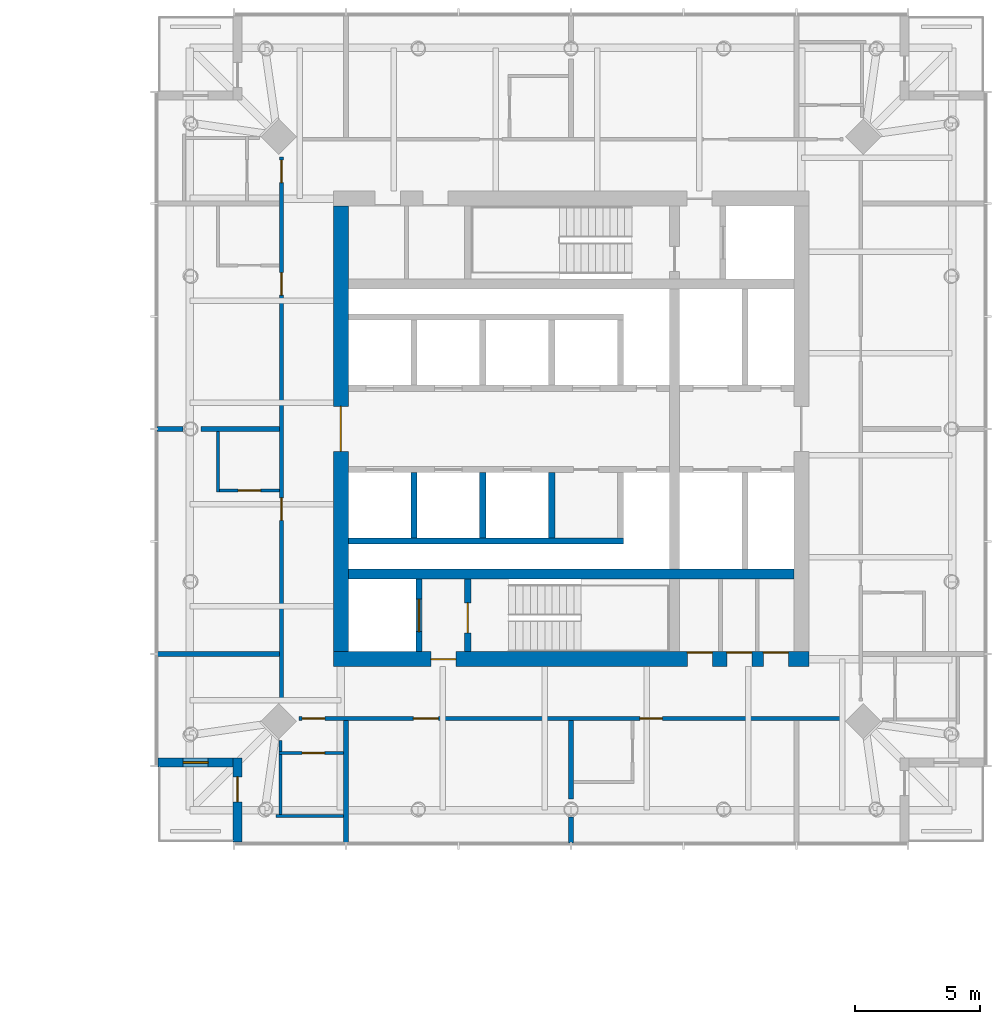
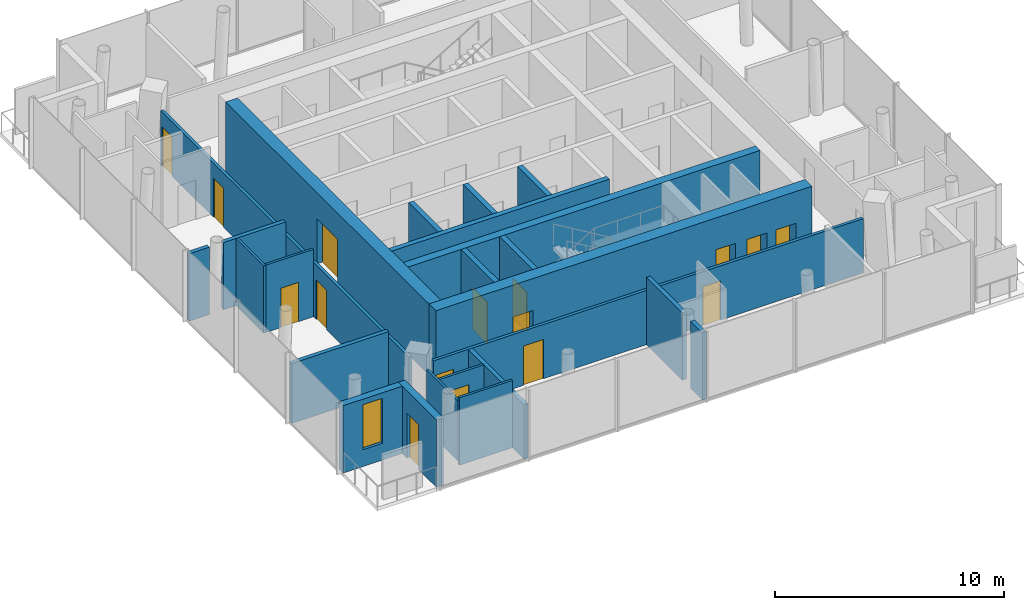
# One storey, part 13 of 20: 24 walls, 16 doors, 1 window, 17 openings.
"""IFC4 building model written with IfcOpenShell, lengths in metres."""

from ifc_helpers import new_model, si_unit, direction, frame, frame_2d, origin, place, context, subcontext, project, spatial, rectangle, extrude, material, layer, layer_set, type_object, element, fill, save


model = new_model("IFC4")

# Units and contexts
model_context = context("Model", 3, precision=1e-05, world=origin(), true_north=direction((0.0, 1.0)))
body_context = subcontext(model_context, "Body", "Model", "MODEL_VIEW")
ifc_project = project(units=[si_unit("LENGTHUNIT", "METRE"), si_unit("AREAUNIT", "SQUARE_METRE"), si_unit("VOLUMEUNIT", "CUBIC_METRE"), si_unit("PLANEANGLEUNIT", "RADIAN"), si_unit("MASSUNIT", "GRAM", prefix="KILO")], contexts=[model_context])

# Site, building, storey
site_placement = place(None, origin())
site = spatial("IfcSite", under=ifc_project, at=site_placement, CompositionType="ELEMENT")
building_placement = place(site_placement, origin())
building = spatial("IfcBuilding", under=site, at=building_placement, Name="Ostroluk Exchange", CompositionType="ELEMENT")
storey_placement = place(building_placement, frame((0.0, 0.0, 108.39990234375)))
storey = spatial("IfcBuildingStorey", under=building, at=storey_placement, Name="L27", CompositionType="ELEMENT", Elevation=108.39990234375)

# Wall
ifc_material_1 = material(Name="Concrete C50/60", Category="concrete")
ifc_layer_1 = layer(ifc_material_1, 0.39990234375)
ifc_layer_set_1 = layer_set([ifc_layer_1], Name="Core cross wall 400 C50/60")
wall_type_1 = type_object("IfcWallType", Name="Core cross wall 400 C50/60", PredefinedType="SHEAR", material=ifc_layer_set_1)
wall_1_placement = place(storey_placement, frame((108.10009765625, 40.199951171875, 0.0), z_axis=(0.0, 0.0, 1.0), x_axis=(1.0, 0.0, 0.0)))
element("IfcWall", 1, at=wall_1_placement, inside=storey, type_object=wall_type_1, Name="T2 core wall XS", PredefinedType="SHEAR", context=body_context, shape_type="SweptSolid", body=[
    extrude(rectangle(XDim=17.7998046875, YDim=0.39990234375, at=frame_2d((8.89990234375, 0.0))), origin(), (0.0, 0.0, 1.0), 3.800048828125),
])

# Wall, opening, door
ifc_material_2 = material(Name="Concrete C40/50", Category="concrete")
ifc_layer_2 = layer(ifc_material_2, 0.25)
ifc_layer_set_2 = layer_set([ifc_layer_2], Name="Core shaft wall 250")
wall_type_2 = type_object("IfcWallType", Name="Core shaft wall 250", PredefinedType="SHEAR", material=ifc_layer_set_2)
wall_2_placement = place(storey_placement, frame((110.925048828125, 37.10009765625, 0.0), z_axis=(0.0, 0.0, 1.0), x_axis=(0.0, 1.0, 0.0)))
wall_2 = element("IfcWall", 2, at=wall_2_placement, inside=storey, type_object=wall_type_2, Name="Firefighting lift shaft wall", PredefinedType="SHEAR", context=body_context, shape_type="SweptSolid", body=[
    extrude(rectangle(XDim=2.89990234375, YDim=0.25, at=frame_2d((1.449951171875, 0.0))), origin(), (0.0, 0.0, 1.0), 3.800048828125),
])
opening_1_placement = place(wall_2_placement, frame((0.800048828125, 0.0, 0.0)))
opening_1 = element("IfcOpeningElement", 3, at=opening_1_placement, cuts=wall_2, Name="Opening LD2", PredefinedType="OPENING", context=body_context, shape_type="SweptSolid", body=[
    extrude(rectangle(XDim=1.300048828125, YDim=2.199951171875, at=frame_2d((0.64990234375, 1.10009765625))), frame((0.0, 0.135009765625, 0.0), z_axis=(0.0, -1.0, 0.0), x_axis=(1.0, 0.0, 0.0)), (0.0, 0.0, 1.0), 0.27001953125),
])
ifc_material_3 = material(Name="Stainless steel", Category="steel")
door_type_1 = type_object("IfcDoorType", Name="Lift landing door E 60 1300 x 2200", OperationType="DOUBLE_DOOR_SLIDING", PredefinedType="DOOR", material=ifc_material_3)
door_1_placement = place(opening_1_placement, origin())
door_1 = element("IfcDoor", 4, at=door_1_placement, inside=storey, type_object=door_type_1, Name="Lift HF1 landing door", OperationType="DOUBLE_DOOR_SLIDING", OverallHeight=2.199951171875, OverallWidth=1.300048828125, PredefinedType="DOOR", context=body_context, shape_type="SweptSolid", body=[
    extrude(rectangle(XDim=1.300048828125, YDim=2.199951171875, at=frame_2d((0.64990234375, 1.10009765625))), frame((0.0, 0.02490234375, 0.0), z_axis=(0.0, -1.0, 0.0), x_axis=(1.0, 0.0, 0.0)), (0.0, 0.0, 1.0), 0.050048828125),
])
fill(opening_1, door_1)

wall_3_placement = place(storey_placement, frame((112.875, 37.10009765625, 0.0), z_axis=(0.0, 0.0, 1.0), x_axis=(0.0, 1.0, 0.0)))
wall_3 = element("IfcWall", 5, at=wall_3_placement, inside=storey, type_object=wall_type_2, Name="Stair shaft wall", PredefinedType="SHEAR", context=body_context, shape_type="SweptSolid", body=[
    extrude(rectangle(XDim=2.89990234375, YDim=0.25, at=frame_2d((1.449951171875, 0.0))), origin(), (0.0, 0.0, 1.0), 3.800048828125),
])
opening_2_placement = place(wall_3_placement, frame((0.75, 0.0, 0.0)))
opening_2 = element("IfcOpeningElement", 6, at=opening_2_placement, cuts=wall_3, Name="Opening FD60S", PredefinedType="OPENING", context=body_context, shape_type="SweptSolid", body=[
    extrude(rectangle(XDim=1.199951171875, YDim=2.10009765625, at=frame_2d((0.60009765625, 1.050048828125))), frame((0.0, 0.135009765625, 0.0), z_axis=(0.0, -1.0, 0.0), x_axis=(1.0, 0.0, 0.0)), (0.0, 0.0, 1.0), 0.27001953125),
])
ifc_material_4 = material(Name="Steel", Category="steel")
door_type_2 = type_object("IfcDoorType", Name="Stair door EI 60 1200 x 2100", OperationType="SINGLE_SWING_LEFT", PredefinedType="DOOR", material=ifc_material_4)
door_2_placement = place(opening_2_placement, origin())
door_2 = element("IfcDoor", 7, at=door_2_placement, inside=storey, type_object=door_type_2, Name="Stair T2-S1 door", OperationType="SINGLE_SWING_LEFT", OverallHeight=2.10009765625, OverallWidth=1.199951171875, PredefinedType="DOOR", context=body_context, shape_type="SweptSolid", body=[
    extrude(rectangle(XDim=1.199951171875, YDim=2.10009765625, at=frame_2d((0.60009765625, 1.050048828125))), frame((0.0, 0.02490234375, 0.0), z_axis=(0.0, -1.0, 0.0), x_axis=(1.0, 0.0, 0.0)), (0.0, 0.0, 1.0), 0.050048828125),
])
fill(opening_2, door_2)

# Walls
for number, where, z_axis, x_axis, name in (
    (8, (110.72509765625, 44.25, 0.0), (0.0, 0.0, 1.0), (0.0, -1.0, 0.0), "Lift shaft wall"),
    (9, (113.47509765625, 44.25, 0.0), (0.0, 0.0, 1.0), (0.0, -1.0, 0.0), "Lift shaft wall"),
    (10, (116.22509765625, 44.25, 0.0), (0.0, 0.0, 1.0), (0.0, -1.0, 0.0), "Lift shaft wall"),
):
    element("IfcWall", number, at=place(storey_placement, frame(where, z_axis=z_axis, x_axis=x_axis)), inside=storey, type_object=wall_type_2, Name=name, PredefinedType="SHEAR", context=body_context, shape_type="SweptSolid", body=[
        extrude(rectangle(XDim=2.60009765625, YDim=0.25, at=frame_2d((1.300048828125, 0.0))), origin(), (0.0, 0.0, 1.0), 3.800048828125),
    ])
wall_4_placement = place(storey_placement, frame((108.10009765625, 41.52490234375, 0.0), z_axis=(0.0, 0.0, 1.0), x_axis=(1.0, 0.0, 0.0)))
element("IfcWall", 11, at=wall_4_placement, inside=storey, type_object=wall_type_2, Name="Lift shaft wall", PredefinedType="SHEAR", context=body_context, shape_type="SweptSolid", body=[
    extrude(rectangle(XDim=11.0, YDim=0.25, at=frame_2d((5.5, 0.0))), origin(), (0.0, 0.0, 1.0), 3.800048828125),
])

# Wall, openings, doors
ifc_material_5 = material(Name="Concrete C50/60", Category="concrete")
ifc_layer_3 = layer(ifc_material_5, 0.60009765625)
ifc_layer_set_3 = layer_set([ifc_layer_3], Name="Core wall 600 C50/60")
wall_type_3 = type_object("IfcWallType", Name="Core wall 600 C50/60", PredefinedType="SHEAR", material=ifc_layer_set_3)
wall_5_placement = place(storey_placement, frame((107.5, 36.800048828125, 0.0), z_axis=(0.0, 0.0, 1.0), x_axis=(1.0, 0.0, 0.0)))
wall_5 = element("IfcWall", 12, at=wall_5_placement, inside=storey, type_object=wall_type_3, Name="T2 core wall S", PredefinedType="SHEAR", context=body_context, shape_type="SweptSolid", body=[
    extrude(rectangle(XDim=19.0, YDim=0.60009765625, at=frame_2d((9.5, 0.0))), origin(), (0.0, 0.0, 1.0), 3.800048828125),
])
opening_3_placement = place(wall_5_placement, frame((3.89990234375, 0.0, 0.0)))
opening_3 = element("IfcOpeningElement", 13, at=opening_3_placement, cuts=wall_5, Name="Opening FD60", PredefinedType="OPENING", context=body_context, shape_type="SweptSolid", body=[
    extrude(rectangle(XDim=1.0, YDim=2.10009765625, at=frame_2d((0.5, 1.050048828125))), frame((0.0, 0.31005859375, 0.0), z_axis=(0.0, -1.0, 0.0), x_axis=(1.0, 0.0, 0.0)), (0.0, 0.0, 1.0), 0.6201171875),
])
opening_4_placement = place(wall_5_placement, frame((14.152587890625, 0.0, 0.0)))
opening_4 = element("IfcOpeningElement", 14, at=opening_4_placement, cuts=wall_5, Name="Opening FD60", PredefinedType="OPENING", context=body_context, shape_type="SweptSolid", body=[
    extrude(rectangle(XDim=1.0, YDim=2.10009765625, at=frame_2d((0.5, 1.050048828125))), frame((0.0, 0.31005859375, 0.0), z_axis=(0.0, -1.0, 0.0), x_axis=(1.0, 0.0, 0.0)), (0.0, 0.0, 1.0), 0.6201171875),
])
opening_5_placement = place(wall_5_placement, frame((15.72509765625, 0.0, 0.0)))
opening_5 = element("IfcOpeningElement", 15, at=opening_5_placement, cuts=wall_5, Name="Opening FD60", PredefinedType="OPENING", context=body_context, shape_type="SweptSolid", body=[
    extrude(rectangle(XDim=1.0, YDim=2.10009765625, at=frame_2d((0.5, 1.050048828125))), frame((0.0, 0.31005859375, 0.0), z_axis=(0.0, -1.0, 0.0), x_axis=(1.0, 0.0, 0.0)), (0.0, 0.0, 1.0), 0.6201171875),
])
opening_6_placement = place(wall_5_placement, frame((17.1875, 0.0, 0.0)))
opening_6 = element("IfcOpeningElement", 16, at=opening_6_placement, cuts=wall_5, Name="Opening FD60", PredefinedType="OPENING", context=body_context, shape_type="SweptSolid", body=[
    extrude(rectangle(XDim=1.0, YDim=2.10009765625, at=frame_2d((0.5, 1.050048828125))), frame((0.0, 0.31005859375, 0.0), z_axis=(0.0, -1.0, 0.0), x_axis=(1.0, 0.0, 0.0)), (0.0, 0.0, 1.0), 0.6201171875),
])
ifc_material_6 = material(Name="Steel", Category="steel")
door_type_3 = type_object("IfcDoorType", Name="Fire door EI 60 1000 x 2100", OperationType="SINGLE_SWING_LEFT", PredefinedType="DOOR", material=ifc_material_6)
door_3_placement = place(opening_3_placement, origin())
door_3 = element("IfcDoor", 17, at=door_3_placement, inside=storey, type_object=door_type_3, Name="Firefighting lobby door", OperationType="SINGLE_SWING_LEFT", OverallHeight=2.10009765625, OverallWidth=1.0, PredefinedType="DOOR", context=body_context, shape_type="SweptSolid", body=[
    extrude(rectangle(XDim=1.0, YDim=2.10009765625, at=frame_2d((0.5, 1.050048828125))), frame((0.0, 0.02490234375, 0.0), z_axis=(0.0, -1.0, 0.0), x_axis=(1.0, 0.0, 0.0)), (0.0, 0.0, 1.0), 0.050048828125),
])
fill(opening_3, door_3)
door_4_placement = place(opening_4_placement, origin())
door_4 = element("IfcDoor", 18, at=door_4_placement, inside=storey, type_object=door_type_3, Name="Luggage store door", OperationType="SINGLE_SWING_RIGHT", OverallHeight=2.10009765625, OverallWidth=1.0, PredefinedType="DOOR", context=body_context, shape_type="SweptSolid", body=[
    extrude(rectangle(XDim=1.0, YDim=2.10009765625, at=frame_2d((0.5, 1.050048828125))), frame((0.0, 0.2900390625, 0.0), z_axis=(0.0, -1.0, 0.0), x_axis=(1.0, 0.0, 0.0)), (0.0, 0.0, 1.0), 0.050048828125),
])
fill(opening_4, door_4)
door_5_placement = place(opening_5_placement, origin())
door_5 = element("IfcDoor", 19, at=door_5_placement, inside=storey, type_object=door_type_3, Name="Comms room door", OperationType="SINGLE_SWING_RIGHT", OverallHeight=2.10009765625, OverallWidth=1.0, PredefinedType="DOOR", context=body_context, shape_type="SweptSolid", body=[
    extrude(rectangle(XDim=1.0, YDim=2.10009765625, at=frame_2d((0.5, 1.050048828125))), frame((0.0, 0.2900390625, 0.0), z_axis=(0.0, -1.0, 0.0), x_axis=(1.0, 0.0, 0.0)), (0.0, 0.0, 1.0), 0.050048828125),
])
fill(opening_5, door_5)
door_6_placement = place(opening_6_placement, origin())
door_6 = element("IfcDoor", 20, at=door_6_placement, inside=storey, type_object=door_type_3, Name="Linen store door", OperationType="SINGLE_SWING_RIGHT", OverallHeight=2.10009765625, OverallWidth=1.0, PredefinedType="DOOR", context=body_context, shape_type="SweptSolid", body=[
    extrude(rectangle(XDim=1.0, YDim=2.10009765625, at=frame_2d((0.5, 1.050048828125))), frame((0.0, 0.2900390625, 0.0), z_axis=(0.0, -1.0, 0.0), x_axis=(1.0, 0.0, 0.0)), (0.0, 0.0, 1.0), 0.050048828125),
])
fill(opening_6, door_6)

# Wall, opening, door
wall_6_placement = place(storey_placement, frame((107.800048828125, 37.10009765625, 0.0), z_axis=(0.0, 0.0, 1.0), x_axis=(0.0, 1.0, 0.0)))
wall_6 = element("IfcWall", 21, at=wall_6_placement, inside=storey, type_object=wall_type_3, Name="T2 core wall W", PredefinedType="SHEAR", context=body_context, shape_type="SweptSolid", body=[
    extrude(rectangle(XDim=17.7998046875, YDim=0.60009765625, at=frame_2d((8.89990234375, 0.0))), origin(), (0.0, 0.0, 1.0), 3.800048828125),
])
opening_7_placement = place(wall_6_placement, frame((8.0, 0.0, 0.0)))
opening_7 = element("IfcOpeningElement", 22, at=opening_7_placement, cuts=wall_6, Name="Opening FD30D", PredefinedType="OPENING", context=body_context, shape_type="SweptSolid", body=[
    extrude(rectangle(XDim=1.800048828125, YDim=2.39990234375, at=frame_2d((0.89990234375, 1.199951171875))), frame((0.0, 0.31005859375, 0.0), z_axis=(0.0, -1.0, 0.0), x_axis=(1.0, 0.0, 0.0)), (0.0, 0.0, 1.0), 0.6201171875),
])
ifc_material_7 = material(Name="Timber", Category="wood")
door_type_4 = type_object("IfcDoorType", Name="Lobby double door EI 30 1800 x 2400", OperationType="DOUBLE_DOOR_SINGLE_SWING", PredefinedType="DOOR", material=ifc_material_7)
door_7_placement = place(opening_7_placement, origin())
door_7 = element("IfcDoor", 23, at=door_7_placement, inside=storey, type_object=door_type_4, Name="Lift lobby doors", OperationType="DOUBLE_DOOR_SINGLE_SWING", OverallHeight=2.39990234375, OverallWidth=1.800048828125, PredefinedType="DOOR", context=body_context, shape_type="SweptSolid", body=[
    extrude(rectangle(XDim=1.800048828125, YDim=2.39990234375, at=frame_2d((0.89990234375, 1.199951171875))), frame((0.0, 0.02490234375, 0.0), z_axis=(0.0, -1.0, 0.0), x_axis=(1.0, 0.0, 0.0)), (0.0, 0.0, 1.0), 0.050048828125),
])
fill(opening_7, door_7)

ifc_material_8 = material(Name="Limestone", Category="masonry")
ifc_layer_4 = layer(ifc_material_8, 0.35009765625)
ifc_layer_set_4 = layer_set([ifc_layer_4], Name="Limestone facade wall 350")
wall_type_4 = type_object("IfcWallType", Name="Limestone facade wall 350", PredefinedType="SOLIDWALL", material=ifc_layer_set_4)
wall_7_placement = place(storey_placement, frame((103.675048828125, 29.5, 0.0), z_axis=(0.0, 0.0, 1.0), x_axis=(0.0, 1.0, 0.0)))
wall_7 = element("IfcWall", 24, at=wall_7_placement, inside=storey, type_object=wall_type_4, Name="Hotel tower SW corner wall L27 a", PredefinedType="SOLIDWALL", context=body_context, shape_type="SweptSolid", body=[
    extrude(rectangle(XDim=3.35009765625, YDim=0.35009765625, at=frame_2d((1.675048828125, 0.0))), origin(), (0.0, 0.0, 1.0), 3.60009765625),
])
opening_8_placement = place(wall_7_placement, frame((1.60009765625, 0.0, 0.0)))
opening_8 = element("IfcOpeningElement", 25, at=opening_8_placement, cuts=wall_7, Name="Opening D-B1", PredefinedType="OPENING", context=body_context, shape_type="SweptSolid", body=[
    extrude(rectangle(XDim=1.0, YDim=2.39990234375, at=frame_2d((0.5, 1.199951171875))), frame((0.0, 0.18505859375, 0.0), z_axis=(0.0, -1.0, 0.0), x_axis=(1.0, 0.0, 0.0)), (0.0, 0.0, 1.0), 0.3701171875),
])
ifc_material_9 = material(Name="Bronze framed glazed door", Category="aluminium")
door_type_5 = type_object("IfcDoorType", Name="Balcony door 1000 x 2400", OperationType="SINGLE_SWING_LEFT", PredefinedType="DOOR", material=ifc_material_9)
door_8_placement = place(opening_8_placement, origin())
door_8 = element("IfcDoor", 26, at=door_8_placement, inside=storey, type_object=door_type_5, Name="Hotel tower SW balcony door L27", OperationType="SINGLE_SWING_RIGHT", OverallHeight=2.39990234375, OverallWidth=1.0, PredefinedType="DOOR", context=body_context, shape_type="SweptSolid", body=[
    extrude(rectangle(XDim=1.0, YDim=2.39990234375, at=frame_2d((0.5, 1.199951171875))), frame((0.0, 0.02490234375, 0.0), z_axis=(0.0, -1.0, 0.0), x_axis=(1.0, 0.0, 0.0)), (0.0, 0.0, 1.0), 0.050048828125),
])
fill(opening_8, door_8)

# Wall, opening, window
wall_8_placement = place(storey_placement, frame((103.5, 32.675048828125, 0.0), z_axis=(0.0, 0.0, 1.0), x_axis=(-1.0, 0.0, 0.0)))
wall_8 = element("IfcWall", 27, at=wall_8_placement, inside=storey, type_object=wall_type_4, Name="Hotel tower SW corner wall L27 b", PredefinedType="SOLIDWALL", context=body_context, shape_type="SweptSolid", body=[
    extrude(rectangle(XDim=3.0, YDim=0.35009765625, at=frame_2d((1.5, 0.0))), origin(), (0.0, 0.0, 1.0), 3.60009765625),
])
opening_9_placement = place(wall_8_placement, frame((1.0, 0.0, 0.89990234375)))
opening_9 = element("IfcOpeningElement", 28, at=opening_9_placement, cuts=wall_8, Name="Opening WN-L3", PredefinedType="OPENING", context=body_context, shape_type="SweptSolid", body=[
    extrude(rectangle(XDim=1.0, YDim=2.39990234375, at=frame_2d((0.5, 1.199951171875))), frame((0.0, 0.18505859375, 0.0), z_axis=(0.0, -1.0, 0.0), x_axis=(1.0, 0.0, 0.0)), (0.0, 0.0, 1.0), 0.3701171875),
])
ifc_material_10 = material(Name="Laminated clear glass", Category="glass")
window_type = type_object("IfcWindowType", Name="Hotel lancet window 1000 x 2400", PartitioningType="SINGLE_PANEL", PredefinedType="WINDOW", material=ifc_material_10)
window_placement = place(opening_9_placement, origin())
window = element("IfcWindow", 29, at=window_placement, inside=storey, type_object=window_type, Name="Hotel tower SW lancet window L27", OverallHeight=2.39990234375, OverallWidth=1.0, PartitioningType="SINGLE_PANEL", PredefinedType="WINDOW", context=body_context, shape_type="SweptSolid", body=[
    extrude(rectangle(XDim=1.0, YDim=2.39990234375, at=frame_2d((0.5, 1.199951171875))), frame((0.0, 0.030029296875, 0.0), z_axis=(0.0, -1.0, 0.0), x_axis=(1.0, 0.0, 0.0)), (0.0, 0.0, 1.0), 0.06005859375),
])
fill(opening_9, window)

# Wall
ifc_material_11 = material(Name="Gypsum plasterboard partition, moisture resistant", Category="gypsum")
ifc_layer_5 = layer(ifc_material_11, 0.1201171875)
ifc_layer_set_5 = layer_set([ifc_layer_5], Name="Plasterboard en-suite wall 120")
wall_type_5 = type_object("IfcWallType", Name="Plasterboard en-suite wall 120", PredefinedType="PARTITIONING", material=ifc_layer_set_5)
wall_9_placement = place(storey_placement, frame((102.889892578125, 45.89990234375, 0.0), z_axis=(0.0, 0.0, 1.0), x_axis=(0.0, -1.0, 0.0)))
element("IfcWall", 30, at=wall_9_placement, inside=storey, type_object=wall_type_5, Name="En-suite wall", PredefinedType="PARTITIONING", context=body_context, shape_type="SweptSolid", body=[
    extrude(rectangle(XDim=2.419921875, YDim=0.1201171875, at=frame_2d((1.2099609375, 0.0))), origin(), (0.0, 0.0, 1.0), 3.60009765625),
])

# Wall, opening, door
wall_10_placement = place(storey_placement, frame((105.35009765625, 43.5400390625, 0.0), z_axis=(0.0, 0.0, 1.0), x_axis=(-1.0, 0.0, 0.0)))
wall_10 = element("IfcWall", 31, at=wall_10_placement, inside=storey, type_object=wall_type_5, Name="En-suite wall", PredefinedType="PARTITIONING", context=body_context, shape_type="SweptSolid", body=[
    extrude(rectangle(XDim=2.400146484375, YDim=0.1201171875, at=frame_2d((1.2001953125, 0.0))), origin(), (0.0, 0.0, 1.0), 3.60009765625),
])
opening_10_placement = place(wall_10_placement, frame((0.75, 0.0, 0.0)))
opening_10 = element("IfcOpeningElement", 32, at=opening_10_placement, cuts=wall_10, Name="Opening D-02", PredefinedType="OPENING", context=body_context, shape_type="SweptSolid", body=[
    extrude(rectangle(XDim=0.89990234375, YDim=2.10009765625, at=frame_2d((0.449951171875, 1.050048828125))), frame((0.0, 0.070068359375, 0.0), z_axis=(0.0, -1.0, 0.0), x_axis=(1.0, 0.0, 0.0)), (0.0, 0.0, 1.0), 0.14013671875),
])
ifc_material_12 = material(Name="Timber", Category="wood")
door_type_6 = type_object("IfcDoorType", Name="En-suite door 900 x 2100", OperationType="SINGLE_SWING_LEFT", PredefinedType="DOOR", material=ifc_material_12)
door_9_placement = place(opening_10_placement, origin())
door_9 = element("IfcDoor", 33, at=door_9_placement, inside=storey, type_object=door_type_6, Name="En-suite door 2707", OperationType="SINGLE_SWING_RIGHT", OverallHeight=2.10009765625, OverallWidth=0.89990234375, PredefinedType="DOOR", context=body_context, shape_type="SweptSolid", body=[
    extrude(rectangle(XDim=0.89990234375, YDim=2.10009765625, at=frame_2d((0.449951171875, 1.050048828125))), frame((0.0, 0.02490234375, 0.0), z_axis=(0.0, -1.0, 0.0), x_axis=(1.0, 0.0, 0.0)), (0.0, 0.0, 1.0), 0.050048828125),
])
fill(opening_10, door_9)

wall_11_placement = place(storey_placement, frame((107.89990234375, 33.050048828125, 0.0), z_axis=(0.0, 0.0, 1.0), x_axis=(-1.0, 0.0, 0.0)))
wall_11 = element("IfcWall", 34, at=wall_11_placement, inside=storey, type_object=wall_type_5, Name="En-suite wall", PredefinedType="PARTITIONING", context=body_context, shape_type="SweptSolid", body=[
    extrude(rectangle(XDim=2.579833984375, YDim=0.1201171875, at=frame_2d((1.2900390625, 0.0))), origin(), (0.0, 0.0, 1.0), 2.900146484375),
])
opening_11_placement = place(wall_11_placement, frame((0.75, 0.0, 0.0)))
opening_11 = element("IfcOpeningElement", 35, at=opening_11_placement, cuts=wall_11, Name="Opening D-02", PredefinedType="OPENING", context=body_context, shape_type="SweptSolid", body=[
    extrude(rectangle(XDim=0.89990234375, YDim=2.10009765625, at=frame_2d((0.449951171875, 1.050048828125))), frame((0.0, 0.070068359375, 0.0), z_axis=(0.0, -1.0, 0.0), x_axis=(1.0, 0.0, 0.0)), (0.0, 0.0, 1.0), 0.14013671875),
])
door_10_placement = place(opening_11_placement, origin())
door_10 = element("IfcDoor", 36, at=door_10_placement, inside=storey, type_object=door_type_6, Name="En-suite door 2708", OperationType="SINGLE_SWING_LEFT", OverallHeight=2.10009765625, OverallWidth=0.89990234375, PredefinedType="DOOR", context=body_context, shape_type="SweptSolid", body=[
    extrude(rectangle(XDim=0.89990234375, YDim=2.10009765625, at=frame_2d((0.449951171875, 1.050048828125))), frame((0.0, 0.02490234375, 0.0), z_axis=(0.0, -1.0, 0.0), x_axis=(1.0, 0.0, 0.0)), (0.0, 0.0, 1.0), 0.050048828125),
])
fill(opening_11, door_10)

# Walls
wall_12_placement = place(storey_placement, frame((107.89990234375, 30.530029296875, 0.0), z_axis=(0.0, 0.0, 1.0), x_axis=(-1.0, 0.0, 0.0)))
element("IfcWall", 37, at=wall_12_placement, inside=storey, type_object=wall_type_5, Name="En-suite wall", PredefinedType="PARTITIONING", context=body_context, shape_type="SweptSolid", body=[
    extrude(rectangle(XDim=2.689453125, YDim=0.1201171875, at=frame_2d((1.3447265625, 0.0))), origin(), (0.0, 0.0, 1.0), 3.60009765625),
])
wall_13_placement = place(storey_placement, frame((105.3798828125, 33.56005859375, 0.0), z_axis=(0.0, 0.0, 1.0), x_axis=(0.0, -1.0, 0.0)))
element("IfcWall", 38, at=wall_13_placement, inside=storey, type_object=wall_type_5, Name="En-suite wall", PredefinedType="PARTITIONING", context=body_context, shape_type="SweptSolid", body=[
    extrude(rectangle(XDim=2.969970703125, YDim=0.1201171875, at=frame_2d((1.48486328125, 0.0))), origin(), (0.0, 0.0, 1.0), 3.2001953125),
])

# Wall, openings, doors
ifc_material_13 = material(Name="Gypsum plasterboard partition", Category="gypsum")
ifc_layer_6 = layer(ifc_material_13, 0.14990234375)
ifc_layer_set_6 = layer_set([ifc_layer_6], Name="Plasterboard partition 150")
wall_type_6 = type_object("IfcWallType", Name="Plasterboard partition 150", PredefinedType="PARTITIONING", material=ifc_layer_set_6)
wall_14_placement = place(storey_placement, frame((105.425048828125, 56.86181640625, 0.0), z_axis=(0.0, 0.0, 1.0), x_axis=(0.0, -1.0, 0.0)))
wall_14 = element("IfcWall", 39, at=wall_14_placement, inside=storey, type_object=wall_type_6, Name="Corridor wall", PredefinedType="PARTITIONING", context=body_context, shape_type="SweptSolid", body=[
    extrude(rectangle(XDim=21.7236328125, YDim=0.14990234375, at=frame_2d((10.86181640625, 0.0))), origin(), (0.0, 0.0, 1.0), 2.900146484375),
])
opening_12_placement = place(wall_14_placement, frame((0.1201171875, 0.0, 0.0)))
opening_12 = element("IfcOpeningElement", 40, at=opening_12_placement, cuts=wall_14, Name="Opening D-01", PredefinedType="OPENING", context=body_context, shape_type="SweptSolid", body=[
    extrude(rectangle(XDim=0.89990234375, YDim=2.10009765625, at=frame_2d((0.449951171875, 1.050048828125))), frame((0.0, 0.0849609375, 0.0), z_axis=(0.0, -1.0, 0.0), x_axis=(1.0, 0.0, 0.0)), (0.0, 0.0, 1.0), 0.169921875),
])
opening_13_placement = place(wall_14_placement, frame((4.61181640625, 0.0, 0.0)))
opening_13 = element("IfcOpeningElement", 41, at=opening_13_placement, cuts=wall_14, Name="Opening D-01", PredefinedType="OPENING", context=body_context, shape_type="SweptSolid", body=[
    extrude(rectangle(XDim=0.89990234375, YDim=2.10009765625, at=frame_2d((0.449951171875, 1.050048828125))), frame((0.0, 0.0849609375, 0.0), z_axis=(0.0, -1.0, 0.0), x_axis=(1.0, 0.0, 0.0)), (0.0, 0.0, 1.0), 0.169921875),
])
opening_14_placement = place(wall_14_placement, frame((13.61181640625, 0.0, 0.0)))
opening_14 = element("IfcOpeningElement", 42, at=opening_14_placement, cuts=wall_14, Name="Opening D-01", PredefinedType="OPENING", context=body_context, shape_type="SweptSolid", body=[
    extrude(rectangle(XDim=0.89990234375, YDim=2.10009765625, at=frame_2d((0.449951171875, 1.050048828125))), frame((0.0, 0.0849609375, 0.0), z_axis=(0.0, -1.0, 0.0), x_axis=(1.0, 0.0, 0.0)), (0.0, 0.0, 1.0), 0.169921875),
])
ifc_material_14 = material(Name="Timber", Category="wood")
door_type_7 = type_object("IfcDoorType", Name="Hotel room door EI 30 Sa 900 x 2100", OperationType="SINGLE_SWING_LEFT", PredefinedType="DOOR", material=ifc_material_14)
door_11_placement = place(opening_12_placement, origin())
door_11 = element("IfcDoor", 43, at=door_11_placement, inside=storey, type_object=door_type_7, Name="Room door 2705", OperationType="SINGLE_SWING_LEFT", OverallHeight=2.10009765625, OverallWidth=0.89990234375, PredefinedType="DOOR", context=body_context, shape_type="SweptSolid", body=[
    extrude(rectangle(XDim=0.89990234375, YDim=2.10009765625, at=frame_2d((0.449951171875, 1.050048828125))), frame((0.0, 0.02490234375, 0.0), z_axis=(0.0, -1.0, 0.0), x_axis=(1.0, 0.0, 0.0)), (0.0, 0.0, 1.0), 0.050048828125),
])
fill(opening_12, door_11)
door_12_placement = place(opening_13_placement, origin())
door_12 = element("IfcDoor", 44, at=door_12_placement, inside=storey, type_object=door_type_7, Name="Room door 2706", OperationType="SINGLE_SWING_LEFT", OverallHeight=2.10009765625, OverallWidth=0.89990234375, PredefinedType="DOOR", context=body_context, shape_type="SweptSolid", body=[
    extrude(rectangle(XDim=0.89990234375, YDim=2.10009765625, at=frame_2d((0.449951171875, 1.050048828125))), frame((0.0, 0.02490234375, 0.0), z_axis=(0.0, -1.0, 0.0), x_axis=(1.0, 0.0, 0.0)), (0.0, 0.0, 1.0), 0.050048828125),
])
fill(opening_13, door_12)
door_13_placement = place(opening_14_placement, origin())
door_13 = element("IfcDoor", 45, at=door_13_placement, inside=storey, type_object=door_type_7, Name="Room door 2707", OperationType="SINGLE_SWING_RIGHT", OverallHeight=2.10009765625, OverallWidth=0.89990234375, PredefinedType="DOOR", context=body_context, shape_type="SweptSolid", body=[
    extrude(rectangle(XDim=0.89990234375, YDim=2.10009765625, at=frame_2d((0.449951171875, 1.050048828125))), frame((0.0, 0.02490234375, 0.0), z_axis=(0.0, -1.0, 0.0), x_axis=(1.0, 0.0, 0.0)), (0.0, 0.0, 1.0), 0.050048828125),
])
fill(opening_14, door_13)

wall_15_placement = place(storey_placement, frame((106.13818359375, 34.425048828125, 0.0), z_axis=(0.0, 0.0, 1.0), x_axis=(1.0, 0.0, 0.0)))
wall_15 = element("IfcWall", 46, at=wall_15_placement, inside=storey, type_object=wall_type_6, Name="Corridor wall", PredefinedType="PARTITIONING", context=body_context, shape_type="SweptSolid", body=[
    extrude(rectangle(XDim=21.7236328125, YDim=0.14990234375, at=frame_2d((10.86181640625, 0.0))), origin(), (0.0, 0.0, 1.0), 2.900146484375),
])
opening_15_placement = place(wall_15_placement, frame((0.1201171875, 0.0, 0.0)))
opening_15 = element("IfcOpeningElement", 47, at=opening_15_placement, cuts=wall_15, Name="Opening D-01", PredefinedType="OPENING", context=body_context, shape_type="SweptSolid", body=[
    extrude(rectangle(XDim=0.89990234375, YDim=2.10009765625, at=frame_2d((0.449951171875, 1.050048828125))), frame((0.0, 0.0849609375, 0.0), z_axis=(0.0, -1.0, 0.0), x_axis=(1.0, 0.0, 0.0)), (0.0, 0.0, 1.0), 0.169921875),
])
opening_16_placement = place(wall_15_placement, frame((4.561767578125, 0.0, 0.0)))
opening_16 = element("IfcOpeningElement", 48, at=opening_16_placement, cuts=wall_15, Name="Opening D-03", PredefinedType="OPENING", context=body_context, shape_type="SweptSolid", body=[
    extrude(rectangle(XDim=1.0, YDim=2.10009765625, at=frame_2d((0.5, 1.050048828125))), frame((0.0, 0.0849609375, 0.0), z_axis=(0.0, -1.0, 0.0), x_axis=(1.0, 0.0, 0.0)), (0.0, 0.0, 1.0), 0.169921875),
])
opening_17_placement = place(wall_15_placement, frame((13.61181640625, 0.0, 0.0)))
opening_17 = element("IfcOpeningElement", 49, at=opening_17_placement, cuts=wall_15, Name="Opening D-01", PredefinedType="OPENING", context=body_context, shape_type="SweptSolid", body=[
    extrude(rectangle(XDim=0.89990234375, YDim=2.10009765625, at=frame_2d((0.449951171875, 1.050048828125))), frame((0.0, 0.0849609375, 0.0), z_axis=(0.0, -1.0, 0.0), x_axis=(1.0, 0.0, 0.0)), (0.0, 0.0, 1.0), 0.169921875),
])
door_14_placement = place(opening_15_placement, origin())
door_14 = element("IfcDoor", 50, at=door_14_placement, inside=storey, type_object=door_type_7, Name="Room door 2708", OperationType="SINGLE_SWING_LEFT", OverallHeight=2.10009765625, OverallWidth=0.89990234375, PredefinedType="DOOR", context=body_context, shape_type="SweptSolid", body=[
    extrude(rectangle(XDim=0.89990234375, YDim=2.10009765625, at=frame_2d((0.449951171875, 1.050048828125))), frame((0.0, 0.02490234375, 0.0), z_axis=(0.0, -1.0, 0.0), x_axis=(1.0, 0.0, 0.0)), (0.0, 0.0, 1.0), 0.050048828125),
])
fill(opening_15, door_14)
door_15_placement = place(opening_17_placement, origin())
door_15 = element("IfcDoor", 51, at=door_15_placement, inside=storey, type_object=door_type_7, Name="Room door 2709", OperationType="SINGLE_SWING_RIGHT", OverallHeight=2.10009765625, OverallWidth=0.89990234375, PredefinedType="DOOR", context=body_context, shape_type="SweptSolid", body=[
    extrude(rectangle(XDim=0.89990234375, YDim=2.10009765625, at=frame_2d((0.449951171875, 1.050048828125))), frame((0.0, 0.02490234375, 0.0), z_axis=(0.0, -1.0, 0.0), x_axis=(1.0, 0.0, 0.0)), (0.0, 0.0, 1.0), 0.050048828125),
])
fill(opening_17, door_15)
ifc_material_15 = material(Name="Timber", Category="wood")
door_type_8 = type_object("IfcDoorType", Name="Internal door 1000 x 2100", OperationType="SINGLE_SWING_LEFT", PredefinedType="DOOR", material=ifc_material_15)
door_16_placement = place(opening_16_placement, origin())
door_16 = element("IfcDoor", 52, at=door_16_placement, inside=storey, type_object=door_type_8, Name="Guest lounge door", OperationType="SINGLE_SWING_LEFT", OverallHeight=2.10009765625, OverallWidth=1.0, PredefinedType="DOOR", context=body_context, shape_type="SweptSolid", body=[
    extrude(rectangle(XDim=1.0, YDim=2.10009765625, at=frame_2d((0.5, 1.050048828125))), frame((0.0, 0.02490234375, 0.0), z_axis=(0.0, -1.0, 0.0), x_axis=(1.0, 0.0, 0.0)), (0.0, 0.0, 1.0), 0.050048828125),
])
fill(opening_16, door_16)

# Walls
ifc_material_16 = material(Name="Gypsum plasterboard partition", Category="gypsum")
ifc_layer_7 = layer(ifc_material_16, 0.199951171875)
ifc_layer_set_7 = layer_set([ifc_layer_7], Name="Plasterboard party wall 200")
wall_type_7 = type_object("IfcWallType", Name="Plasterboard party wall 200", PredefinedType="PARTITIONING", material=ifc_layer_set_7)
wall_16_placement = place(storey_placement, frame((105.35009765625, 46.0, 0.0), z_axis=(0.0, 0.0, 1.0), x_axis=(-1.0, 0.0, 0.0)))
element("IfcWall", 53, at=wall_16_placement, inside=storey, type_object=wall_type_7, Name="Party wall", PredefinedType="PARTITIONING", context=body_context, shape_type="SweptSolid", body=[
    extrude(rectangle(XDim=3.1396484375, YDim=0.199951171875, at=frame_2d((1.56982421875, 0.0))), origin(), (0.0, 0.0, 1.0), 3.60009765625),
])
wall_17_placement = place(storey_placement, frame((101.48779296875, 46.0, 0.0), z_axis=(0.0, 0.0, 1.0), x_axis=(-1.0, 0.0, 0.0)))
element("IfcWall", 54, at=wall_17_placement, inside=storey, type_object=wall_type_7, Name="Party wall", PredefinedType="PARTITIONING", context=body_context, shape_type="SweptSolid", body=[
    extrude(rectangle(XDim=1.02783203125, YDim=0.199951171875, at=frame_2d((0.513916015625, 0.0))), origin(), (0.0, 0.0, 1.0), 3.60009765625),
])
wall_18_placement = place(storey_placement, frame((105.35009765625, 37.0, 0.0), z_axis=(0.0, 0.0, 1.0), x_axis=(-1.0, 0.0, 0.0)))
element("IfcWall", 55, at=wall_18_placement, inside=storey, type_object=wall_type_7, Name="Party wall", PredefinedType="PARTITIONING", context=body_context, shape_type="SweptSolid", body=[
    extrude(rectangle(XDim=4.89013671875, YDim=0.199951171875, at=frame_2d((2.445068359375, 0.0))), origin(), (0.0, 0.0, 1.0), 3.2001953125),
])
wall_19_placement = place(storey_placement, frame((108.0, 34.35009765625, 0.0), z_axis=(0.0, 0.0, 1.0), x_axis=(0.0, -1.0, 0.0)))
element("IfcWall", 56, at=wall_19_placement, inside=storey, type_object=wall_type_7, Name="Party wall", PredefinedType="PARTITIONING", context=body_context, shape_type="SweptSolid", body=[
    extrude(rectangle(XDim=4.89013671875, YDim=0.199951171875, at=frame_2d((2.445068359375, 0.0))), origin(), (0.0, 0.0, 1.0), 2.900146484375),
])
wall_20_placement = place(storey_placement, frame((117.0, 34.35009765625, 0.0), z_axis=(0.0, 0.0, 1.0), x_axis=(0.0, -1.0, 0.0)))
element("IfcWall", 57, at=wall_20_placement, inside=storey, type_object=wall_type_7, Name="Party wall", PredefinedType="PARTITIONING", context=body_context, shape_type="SweptSolid", body=[
    extrude(rectangle(XDim=3.1396484375, YDim=0.199951171875, at=frame_2d((1.56982421875, 0.0))), origin(), (0.0, 0.0, 1.0), 3.60009765625),
])
wall_21_placement = place(storey_placement, frame((117.0, 30.48779296875, 0.0), z_axis=(0.0, 0.0, 1.0), x_axis=(0.0, -1.0, 0.0)))
element("IfcWall", 58, at=wall_21_placement, inside=storey, type_object=wall_type_7, Name="Party wall", PredefinedType="PARTITIONING", context=body_context, shape_type="SweptSolid", body=[
    extrude(rectangle(XDim=1.02783203125, YDim=0.199951171875, at=frame_2d((0.513916015625, 0.0))), origin(), (0.0, 0.0, 1.0), 3.60009765625),
])

save(model, "model.ifc")
